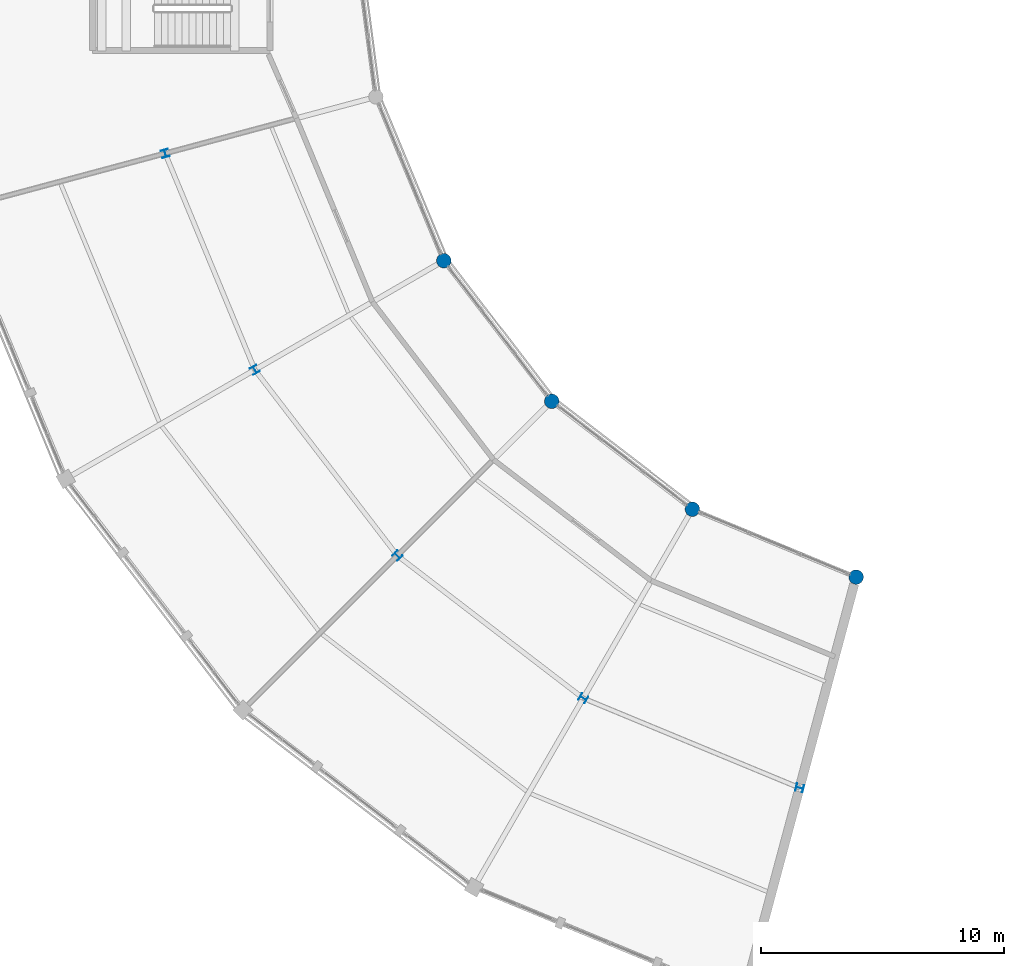
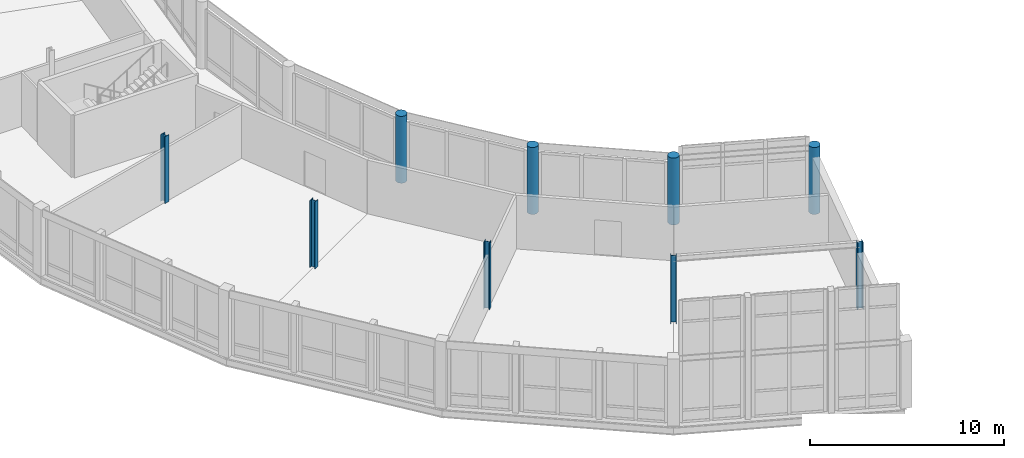
# One storey, part 4 of 170: 9 columns.
"""IFC4 building model written with IfcOpenShell, lengths in metres."""

from ifc_helpers import new_model, si_unit, direction, frame, origin, origin_2d, place, context, subcontext, project, spatial, circle, i_section, extrude, material, material_profile, profile_set, type_object, element, save


model = new_model("IFC4")

# Units and contexts
model_context = context("Model", 3, precision=1e-05, world=origin(), true_north=direction((0.0, 1.0)))
body_context = subcontext(model_context, "Body", "Model", "MODEL_VIEW")
ifc_project = project(units=[si_unit("LENGTHUNIT", "METRE"), si_unit("AREAUNIT", "SQUARE_METRE"), si_unit("VOLUMEUNIT", "CUBIC_METRE"), si_unit("PLANEANGLEUNIT", "RADIAN"), si_unit("MASSUNIT", "GRAM", prefix="KILO")], contexts=[model_context])

# Site, building, storey
site_placement = place(None, origin())
site = spatial("IfcSite", under=ifc_project, at=site_placement, CompositionType="ELEMENT")
building_placement = place(site_placement, origin())
building = spatial("IfcBuilding", under=site, at=building_placement, Name="Vondelvale Polytechnic", CompositionType="ELEMENT")
storey_placement = place(building_placement, frame((0.0, 0.0, 5.39990234375)))
storey = spatial("IfcBuildingStorey", under=building, at=storey_placement, Name="L01", CompositionType="ELEMENT", Elevation=5.39990234375)

# Columns
ifc_material_1 = material(Name="Concrete N50 (f'c = 50 MPa)", Category="concrete")
ifc_material_profile_1 = material_profile(ifc_material_1, circle(Radius=0.300048828125, at=origin_2d()), Name="RC-COL-D600")
ifc_profile_set_1 = profile_set([ifc_material_profile_1], Name="Concrete N50 (f'c = 50 MPa)")
column_type_1 = type_object("IfcColumnType", Name="COL-RCD600", PredefinedType="COLUMN", material=ifc_profile_set_1)
for number, where, z_axis, x_axis, name in (
    (1, (77.751220703125, 58.0, 0.0), (0.0, 0.0, 1.0), (0.866025403784, 0.5, 0.0), "L01 courtyard ring column S14-RI"),
    (2, (82.200927734375, 52.200927734375, 0.0), (0.0, 0.0, 1.0), (0.707106781187, 0.707106781187, 0.0), "L01 courtyard ring column S15-RI"),
    (3, (88.0, 47.751220703125, 0.0), (0.0, 0.0, 1.0), (0.5, 0.866025403784, 0.0), "L01 courtyard ring column S16-RI"),
    (4, (94.753173828125, 44.9541015625, 0.0), (0.0, 0.0, 1.0), (0.258819045103, 0.965925826289, 0.0), "L01 courtyard ring column S17-RI"),
):
    element("IfcColumn", number, at=place(storey_placement, frame(where, z_axis=z_axis, x_axis=x_axis)), inside=storey, type_object=column_type_1, Name=name, PredefinedType="COLUMN", context=body_context, shape_type="SweptSolid", body=[
        extrude(circle(Radius=0.300048828125, at=origin_2d()), origin(), (0.0, 0.0, 1.0), 4.2001953125),
    ])
ifc_material_2 = material(Name="Steel 300PLUS (fy = 300 MPa)", Category="steel")
ifc_material_profile_2 = material_profile(ifc_material_2, i_section(OverallWidth=0.306884765625, OverallDepth=0.31494140625, WebThickness=0.011962890625, FlangeThickness=0.018798828125, FilletRadius=0.0166015625, at=origin_2d()), Name="310UC118")
ifc_profile_set_2 = profile_set([ifc_material_profile_2], Name="Steel 300PLUS (fy = 300 MPa)")
column_type_2 = type_object("IfcColumnType", Name="COL-UC310", PredefinedType="COLUMN", material=ifc_profile_set_2)
for number, where, z_axis, x_axis, name in (
    (5, (66.2607421875, 62.423583984375, 0.0), (0.0, 0.0, 1.0), (0.965925826289, 0.258819045103, 0.0), "L01 courtyard ring column S13-RM"),
    (6, (69.95703125, 53.5, 0.0), (0.0, 0.0, 1.0), (0.866025403784, 0.5, 0.0), "L01 courtyard ring column S14-RM"),
    (7, (75.8369140625, 45.8369140625, 0.0), (0.0, 0.0, 1.0), (0.707106781187, 0.707106781187, 0.0), "L01 courtyard ring column S15-RM"),
    (8, (83.5, 39.95703125, 0.0), (0.0, 0.0, 1.0), (0.5, 0.866025403784, 0.0), "L01 courtyard ring column S16-RM"),
    (9, (92.423583984375, 36.2607421875, 0.0), (0.0, 0.0, 1.0), (0.258819045103, 0.965925826289, 0.0), "L01 courtyard ring column S17-RM"),
):
    element("IfcColumn", number, at=place(storey_placement, frame(where, z_axis=z_axis, x_axis=x_axis)), inside=storey, type_object=column_type_2, Name=name, PredefinedType="COLUMN", context=body_context, shape_type="SweptSolid", body=[
        extrude(i_section(OverallWidth=0.306884765625, OverallDepth=0.31494140625, WebThickness=0.011962890625, FlangeThickness=0.018798828125, FilletRadius=0.0166015625, at=origin_2d()), origin(), (0.0, 0.0, 1.0), 4.2001953125),
    ])

save(model, "model.ifc")
